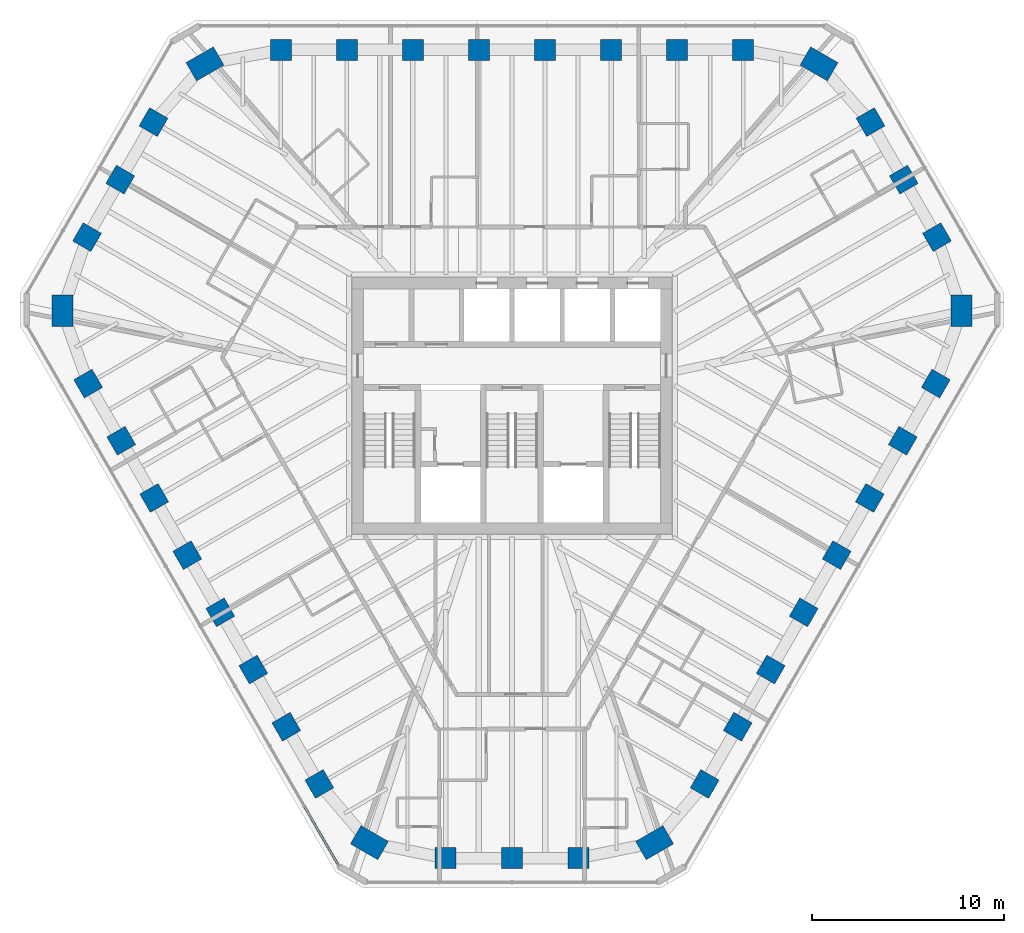
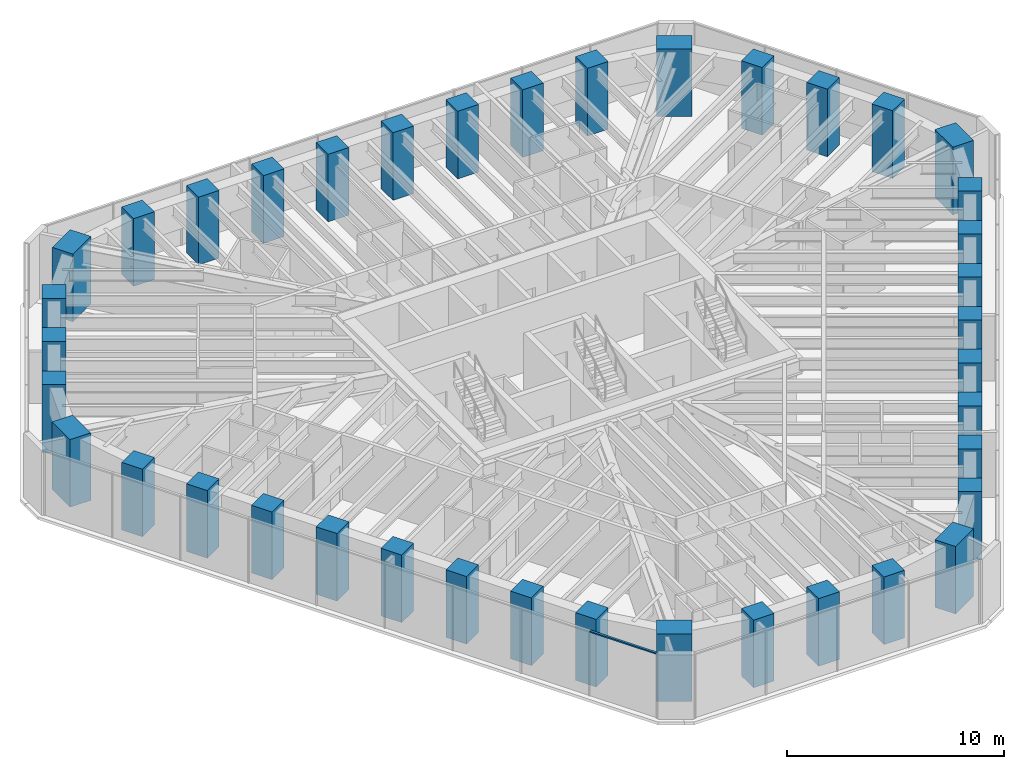
# One storey, part 1 of 14: 39 columns, 1 member, 1 element without a shape of its own.
"""IFC4 building model written with IfcOpenShell, lengths in metres."""

import ifcopenshell
import ifcopenshell.guid

model = None  # the IFC model being written
_history = None  # IfcOwnerHistory: only IFC2X3 demands one
_inside = {}  # id of a spatial element -> (the spatial element, [elements in it])
_under = {}  # id of a project, library or spatial element -> (it, [spatial elements below it])
_declared = {}  # id of a project -> (the project, [libraries it declares])
_typed = {}  # id of a type object -> (the type object, [elements of that type])
_made_of = {}  # id of a material, layer set ... -> (it, [elements and type objects made of it])


def new_model(schema):
    """Start an empty IFC model of exactly this schema.

    Asked for "IFC4X3", IfcOpenShell would pick the latest addendum, in which some entities
    have other attributes; the version numbers below select the first issue.
    IFC2X3 requires an IfcOwnerHistory on every rooted entity: one is made here for all.
    """
    global model, _history
    if schema == "IFC4X3":
        model = ifcopenshell.file(schema_version=(4, 3, 0, 0))
    else:
        model = ifcopenshell.file(schema=schema)
    _inside.clear()
    _under.clear()
    _declared.clear()
    _typed.clear()
    _made_of.clear()
    _history = None
    if model.schema == "IFC2X3":
        org = make("IfcOrganization", Name="unknown")
        user = make(
            "IfcPersonAndOrganization",
            ThePerson=make("IfcPerson", FamilyName="unknown"),
            TheOrganization=org,
        )
        app = make(
            "IfcApplication",
            ApplicationDeveloper=org,
            Version="unknown",
            ApplicationFullName="unknown",
            ApplicationIdentifier="unknown",
        )
        _history = make(
            "IfcOwnerHistory",
            OwningUser=user,
            OwningApplication=app,
            ChangeAction="ADDED",
            CreationDate=0,
        )
    return model


def make(cls, **values):
    """One entity of the class cls with the attributes given. An attribute that is None is left unset."""
    return model.create_entity(
        cls, **{name: value for name, value in values.items() if value is not None}
    )


def rooted(cls, **values):
    """An entity with a GlobalId (a new one), such as an element, a storey or a relation."""
    return make(cls, GlobalId=ifcopenshell.guid.new(), OwnerHistory=_history, **values)


def si_unit(unit_type, name, prefix=None):
    """IfcSIUnit, for example si_unit("LENGTHUNIT", "METRE", prefix="MILLI")."""
    return make("IfcSIUnit", UnitType=unit_type, Prefix=prefix, Name=name)


def assignment(units):
    """IfcUnitAssignment: the units of a project."""
    return None if units is None else make("IfcUnitAssignment", Units=units)


def point(xyz):
    """IfcCartesianPoint."""
    return None if xyz is None else make("IfcCartesianPoint", Coordinates=xyz)


def direction(xyz):
    """IfcDirection."""
    return None if xyz is None else make("IfcDirection", DirectionRatios=xyz)


def frame(location, z_axis=None, x_axis=None):
    """IfcAxis2Placement3D, a coordinate frame: its origin and axes. An axis left out is left unset."""
    return make(
        "IfcAxis2Placement3D",
        Location=point(location),
        Axis=direction(z_axis),
        RefDirection=direction(x_axis),
    )


def frame_2d(location, x_axis=None):
    """IfcAxis2Placement2D, a coordinate frame in the plane: its origin and x axis."""
    return make(
        "IfcAxis2Placement2D", Location=point(location), RefDirection=direction(x_axis)
    )


def origin():
    """The frame at (0, 0, 0) with its axes left unset."""
    return frame((0.0, 0.0, 0.0))


def origin_2d():
    """The frame at (0, 0) in the plane with its x axis left unset."""
    return frame_2d((0.0, 0.0))


def place(relative_to, where):
    """IfcLocalPlacement: puts the frame where relative to a parent placement (None: the world)."""
    return make(
        "IfcLocalPlacement", PlacementRelTo=relative_to, RelativePlacement=where
    )


def context(
    kind, dimensions, precision=None, world=None, true_north=None, identifier=None
):
    """IfcGeometricRepresentationContext, for example the 3D "Model" context."""
    return make(
        "IfcGeometricRepresentationContext",
        ContextIdentifier=identifier,
        ContextType=kind,
        CoordinateSpaceDimension=dimensions,
        Precision=precision,
        WorldCoordinateSystem=world,
        TrueNorth=true_north,
    )


def subcontext(parent, identifier, kind, view, scale=None):
    """IfcGeometricRepresentationSubContext, for example "Body" below "Model"."""
    return make(
        "IfcGeometricRepresentationSubContext",
        ContextIdentifier=identifier,
        ContextType=kind,
        ParentContext=parent,
        TargetScale=scale,
        TargetView=view,
    )


def project(units=None, contexts=None):
    """IfcProject with its units and contexts."""
    return rooted(
        "IfcProject",
        Name="project",
        RepresentationContexts=contexts,
        UnitsInContext=assignment(units),
    )


def spatial(cls, under=None, at=None, **own):
    """A site, building, storey or space (cls), placed at a placement, below another one or the project."""
    s = rooted(cls, ObjectPlacement=at, **own)
    if under is not None:
        _under.setdefault(under.id(), (under, []))[1].append(s)
    return s


def profile(cls, at=None, kind="AREA", **sizes):
    """A parametric profile (cls). Its sizes go by their IFC names, for example OverallWidth=200.0."""
    return make(cls, ProfileType=kind, Position=at, **sizes)


def rectangle(**sizes):
    """IfcRectangleProfileDef."""
    return profile("IfcRectangleProfileDef", **sizes)


def extrude(swept, where, along, depth):
    """IfcExtrudedAreaSolid: the profile swept, set in the frame where, extruded along a direction by depth."""
    return make(
        "IfcExtrudedAreaSolid",
        SweptArea=swept,
        Position=where,
        ExtrudedDirection=direction(along),
        Depth=depth,
    )


def shape(context_of_items, identifier, shape_type, items):
    """IfcShapeRepresentation: the items that make up one representation, for example the "Body"."""
    return make(
        "IfcShapeRepresentation",
        ContextOfItems=context_of_items,
        RepresentationIdentifier=identifier,
        RepresentationType=shape_type,
        Items=items,
    )


def material(Name=None, Category=None):
    """IfcMaterial."""
    return make("IfcMaterial", Name=Name, Category=Category)


def material_profile(
    of_material, cross_section, Name=None, Category=None, Priority=None
):
    """IfcMaterialProfile: a cross section and its material."""
    return make(
        "IfcMaterialProfile",
        Name=Name,
        Material=of_material,
        Profile=cross_section,
        Priority=Priority,
        Category=Category,
    )


def profile_set(profiles, Name=None, composite=None):
    """IfcMaterialProfileSet."""
    return make(
        "IfcMaterialProfileSet",
        Name=Name,
        MaterialProfiles=profiles,
        CompositeProfile=composite,
    )


def made_of(thing, what):
    """Note that an element or type object is made of a material, layer set ...; save() writes the relation."""
    if what is not None:
        _made_of.setdefault(what.id(), (what, []))[1].append(thing)
    return thing


def type_object(cls, material=None, **own):
    """A type object (cls), such as IfcWallType, which elements share."""
    return made_of(rooted(cls, **own), material)


def element(
    cls,
    number,
    at=None,
    inside=None,
    cuts=None,
    type_object=None,
    material=None,
    context=None,
    identifier="Body",
    shape_type=None,
    held_by="IfcProductDefinitionShape",
    body=None,
    shapes=None,
    **own,
):
    """One element of the class cls, such as IfcWall. Its Tag is "e" and its number.

    at: its placement. inside: the storey or other place that contains it. cuts: it is an
    opening in that element (IfcRelVoidsElement). A single representation is given by context,
    identifier, shape_type and body (its items); several are given by shapes. held_by: the class
    of the entity that holds the representations. save() writes the other relations.
    """
    e = rooted(cls, Tag="e%d" % number, ObjectPlacement=at, **own)
    if body is not None:
        shapes = [shape(context, identifier, shape_type, body)]
    if shapes is not None:
        e.Representation = make(held_by, Representations=shapes)
    if inside is not None:
        _inside.setdefault(inside.id(), (inside, []))[1].append(e)
    if cuts is not None:
        rooted(
            "IfcRelVoidsElement", RelatingBuildingElement=cuts, RelatedOpeningElement=e
        )
    if type_object is not None:
        _typed.setdefault(type_object.id(), (type_object, []))[1].append(e)
    return made_of(e, material)


def aggregate(whole, parts):
    """IfcRelAggregates: a whole, such as a stair, and the parts it consists of."""
    return rooted("IfcRelAggregates", RelatingObject=whole, RelatedObjects=parts)


def save(model, path):
    """Write the relations noted so far, then the file.

    IfcRelAggregates (storeys below a building ...), IfcRelContainedInSpatialStructure (elements
    in a storey), IfcRelDefinesByType, IfcRelAssociatesMaterial and IfcRelDeclares: one each for
    every whole, place, type object, material and project.
    """
    for whole, parts in _under.values():
        aggregate(whole, parts)
    for where, things in _inside.values():
        rooted(
            "IfcRelContainedInSpatialStructure",
            RelatedElements=things,
            RelatingStructure=where,
        )
    for kind, things in _typed.values():
        rooted("IfcRelDefinesByType", RelatedObjects=things, RelatingType=kind)
    for what, things in _made_of.values():
        rooted("IfcRelAssociatesMaterial", RelatedObjects=things, RelatingMaterial=what)
    for by, libraries in _declared.values():
        rooted("IfcRelDeclares", RelatingContext=by, RelatedDefinitions=libraries)
    model.write(path)


model = new_model("IFC4")

# Units and contexts
model_context = context("Model", 3, precision=1e-05, world=origin(), true_north=direction((0.0, 1.0)))
body_context = subcontext(model_context, "Body", "Model", "MODEL_VIEW")
ifc_project = project(units=[si_unit("LENGTHUNIT", "METRE"), si_unit("AREAUNIT", "SQUARE_METRE"), si_unit("VOLUMEUNIT", "CUBIC_METRE"), si_unit("PLANEANGLEUNIT", "RADIAN"), si_unit("MASSUNIT", "GRAM", prefix="KILO")], contexts=[model_context])

# Site, building, storey
site_placement = place(None, origin())
site = spatial("IfcSite", under=ifc_project, at=site_placement, CompositionType="ELEMENT")
building_placement = place(site_placement, origin())
building = spatial("IfcBuilding", under=site, at=building_placement, Name="Sandreach Pilgrim Tower", CompositionType="ELEMENT")
storey_placement = place(building_placement, frame((0.0, 0.0, 268.39990234375)))
storey = spatial("IfcBuildingStorey", under=building, at=storey_placement, Name="L67", CompositionType="ELEMENT", Elevation=268.39990234375)

# Columns
ifc_material_1 = material(Name="Concrete 10000 psi", Category="concrete")
ifc_material_profile_1 = material_profile(ifc_material_1, rectangle(XDim=1.10009765625, YDim=1.10009765625, at=origin_2d()), Name="RC1100X1100")
ifc_profile_set_1 = profile_set([ifc_material_profile_1], Name="Concrete 10000 psi")
column_type_1 = type_object("IfcColumnType", Name="Tube column RC1100X1100", PredefinedType="COLUMN", material=ifc_profile_set_1)
for number, where, z_axis, x_axis, name in (
    (1, (-12.0576171875, 18.56640625, 0.0), (0.0, 0.0, 1.0), (0.0, 1.0, 0.0), "COL L67 T01"),
    (2, (-8.612548828125, 18.56640625, 0.0), (0.0, 0.0, 1.0), (0.0, 1.0, 0.0), "COL L67 T02"),
    (3, (-5.16748046875, 18.56640625, 0.0), (0.0, 0.0, 1.0), (0.0, 1.0, 0.0), "COL L67 T03"),
    (4, (-1.722412109375, 18.56640625, 0.0), (0.0, 0.0, 1.0), (0.0, 1.0, 0.0), "COL L67 T04"),
    (5, (1.722412109375, 18.56640625, 0.0), (0.0, 0.0, 1.0), (0.0, 1.0, 0.0), "COL L67 T05"),
    (6, (5.16748046875, 18.56640625, 0.0), (0.0, 0.0, 1.0), (0.0, 1.0, 0.0), "COL L67 T06"),
    (7, (8.612548828125, 18.56640625, 0.0), (0.0, 0.0, 1.0), (0.0, 1.0, 0.0), "COL L67 T07"),
    (8, (12.0576171875, 18.56640625, 0.0), (0.0, 0.0, 1.0), (0.0, 1.0, 0.0), "COL L67 T08"),
    (9, (18.70361328125, 14.80029296875, 0.0), (0.0, 0.0, 1.0), (0.866025403784, 0.5, 0.0), "COL L67 T10"),
    (10, (20.4365234375, 11.799072265625, 0.0), (0.0, 0.0, 1.0), (0.866025403784, 0.5, 0.0), "COL L67 T11"),
    (11, (22.169189453125, 8.7978515625, 0.0), (0.0, 0.0, 1.0), (0.866025403784, 0.5, 0.0), "COL L67 T12"),
    (12, (22.10791015625, 1.158935546875, 0.0), (0.0, 0.0, 1.0), (0.866025403784, -0.5, 0.0), "COL L67 T14"),
    (13, (20.38525390625, -1.824462890625, 0.0), (0.0, 0.0, 1.0), (0.866025403784, -0.5, 0.0), "COL L67 T15"),
    (14, (18.662841796875, -4.80810546875, 0.0), (0.0, 0.0, 1.0), (0.866025403784, -0.5, 0.0), "COL L67 T16"),
    (15, (16.940185546875, -7.79150390625, 0.0), (0.0, 0.0, 1.0), (0.866025403784, -0.5, 0.0), "COL L67 T17"),
    (16, (15.2177734375, -10.77490234375, 0.0), (0.0, 0.0, 1.0), (0.866025403784, -0.5, 0.0), "COL L67 T18"),
    (17, (13.4951171875, -13.758544921875, 0.0), (0.0, 0.0, 1.0), (0.866025403784, -0.5, 0.0), "COL L67 T19"),
    (18, (11.772705078125, -16.741943359375, 0.0), (0.0, 0.0, 1.0), (0.866025403784, -0.5, 0.0), "COL L67 T20"),
    (19, (10.05029296875, -19.725341796875, 0.0), (0.0, 0.0, 1.0), (0.866025403784, -0.5, 0.0), "COL L67 T21"),
    (20, (3.465576171875, -23.59814453125, 0.0), (0.0, 0.0, 1.0), (0.0, -1.0, 0.0), "COL L67 T23"),
    (21, (0.0, -23.59814453125, 0.0), (0.0, 0.0, 1.0), (0.0, -1.0, 0.0), "COL L67 T24"),
    (22, (-3.465576171875, -23.59814453125, 0.0), (0.0, 0.0, 1.0), (0.0, -1.0, 0.0), "COL L67 T25"),
    (23, (-10.05029296875, -19.725341796875, 0.0), (0.0, 0.0, 1.0), (-0.866025403784, -0.5, 0.0), "COL L67 T27"),
    (24, (-11.772705078125, -16.741943359375, 0.0), (0.0, 0.0, 1.0), (-0.866025403784, -0.5, 0.0), "COL L67 T28"),
    (25, (-13.4951171875, -13.758544921875, 0.0), (0.0, 0.0, 1.0), (-0.866025403784, -0.5, 0.0), "COL L67 T29"),
    (26, (-15.2177734375, -10.77490234375, 0.0), (0.0, 0.0, 1.0), (-0.866025403784, -0.5, 0.0), "COL L67 T30"),
    (27, (-16.940185546875, -7.79150390625, 0.0), (0.0, 0.0, 1.0), (-0.866025403784, -0.5, 0.0), "COL L67 T31"),
    (28, (-18.662841796875, -4.80810546875, 0.0), (0.0, 0.0, 1.0), (-0.866025403784, -0.5, 0.0), "COL L67 T32"),
    (29, (-20.38525390625, -1.824462890625, 0.0), (0.0, 0.0, 1.0), (-0.866025403784, -0.5, 0.0), "COL L67 T33"),
    (30, (-22.10791015625, 1.158935546875, 0.0), (0.0, 0.0, 1.0), (-0.866025403784, -0.5, 0.0), "COL L67 T34"),
    (31, (-22.169189453125, 8.7978515625, 0.0), (0.0, 0.0, 1.0), (-0.866025403784, 0.5, 0.0), "COL L67 T36"),
    (32, (-20.4365234375, 11.799072265625, 0.0), (0.0, 0.0, 1.0), (-0.866025403784, 0.5, 0.0), "COL L67 T37"),
    (33, (-18.70361328125, 14.80029296875, 0.0), (0.0, 0.0, 1.0), (-0.866025403784, 0.5, 0.0), "COL L67 T38"),
):
    element("IfcColumn", number, at=place(storey_placement, frame(where, z_axis=z_axis, x_axis=x_axis)), inside=storey, type_object=column_type_1, Name=name, PredefinedType="COLUMN", context=body_context, shape_type="SweptSolid", body=[
        extrude(rectangle(XDim=1.10009765625, YDim=1.10009765625, at=origin_2d()), origin(), (0.0, 0.0, 1.0), 3.800048828125),
    ])
ifc_material_2 = material(Name="Concrete 10000 psi", Category="concrete")
ifc_material_profile_2 = material_profile(ifc_material_2, rectangle(XDim=1.10009765625, YDim=1.64990234375, at=origin_2d()), Name="RC1100X1650")
ifc_profile_set_2 = profile_set([ifc_material_profile_2], Name="Concrete 10000 psi")
column_type_2 = type_object("IfcColumnType", Name="Tube corner pier RC1100X1650", PredefinedType="COLUMN", material=ifc_profile_set_2)
for number, where, z_axis, x_axis, name in (
    (34, (16.0166015625, 17.837158203125, 0.0), (0.0, 0.0, 1.0), (0.5, 0.866025403784, 0.0), "COL L67 T09"),
    (35, (23.455810546875, 4.952392578125, 0.0), (0.0, 0.0, 1.0), (1.0, 0.0, 0.0), "COL L67 T13"),
    (36, (7.439208984375, -22.78955078125, 0.0), (0.0, 0.0, 1.0), (0.5, -0.866025403784, 0.0), "COL L67 T22"),
    (37, (-7.439208984375, -22.78955078125, 0.0), (0.0, 0.0, 1.0), (-0.5, -0.866025403784, 0.0), "COL L67 T26"),
    (38, (-23.455810546875, 4.952392578125, 0.0), (0.0, 0.0, 1.0), (-1.0, 0.0, 0.0), "COL L67 T35"),
    (39, (-16.0166015625, 17.837158203125, 0.0), (0.0, 0.0, 1.0), (-0.5, 0.866025403784, 0.0), "COL L67 T39"),
):
    element("IfcColumn", number, at=place(storey_placement, frame(where, z_axis=z_axis, x_axis=x_axis)), inside=storey, type_object=column_type_2, Name=name, PredefinedType="COLUMN", context=body_context, shape_type="SweptSolid", body=[
        extrude(rectangle(XDim=1.10009765625, YDim=1.64990234375, at=origin_2d()), origin(), (0.0, 0.0, 1.0), 3.800048828125),
    ])

# Curtain wall, member
ifc_material_3 = material(Name="Aluminium framed curtain wall", Category="aluminium")
curtain_wall_type = type_object("IfcCurtainWallType", Name="Suite tower curtain wall", PredefinedType="NOTDEFINED", material=ifc_material_3)
curtain_wall_placement = place(storey_placement, origin())
curtain_wall = element("IfcCurtainWall", 40, at=curtain_wall_placement, inside=storey, type_object=curtain_wall_type, Name="CW-4 L67 SW", PredefinedType="NOTDEFINED")
ifc_material_4 = material(Name="Aluminium extrusion", Category="aluminium")
ifc_material_profile_3 = material_profile(ifc_material_4, rectangle(XDim=0.1201171875, YDim=0.070068359375, at=origin_2d()), Name="CW-4T 120X70")
ifc_profile_set_3 = profile_set([ifc_material_profile_3], Name="Aluminium extrusion")
member_type = type_object("IfcMemberType", Name="CW-4 transom", PredefinedType="USERDEFINED", material=ifc_profile_set_3)
member_placement = place(storey_placement, frame((-9.051025390625, -23.97607421875, 3.60498046875), z_axis=(-0.499997709859, 0.866026725994, 0.0), x_axis=(-0.866026725994, -0.499997709859, 0.0)))
member = element("IfcMember", 41, at=member_placement, type_object=member_type, Name="CW-4 head transom 1", ObjectType="TRANSOM", PredefinedType="USERDEFINED", context=body_context, shape_type="SweptSolid", body=[
    extrude(rectangle(XDim=0.1201171875, YDim=0.070068359375, at=origin_2d()), origin(), (0.0, 0.0, 1.0), 3.53173828125),
])
aggregate(curtain_wall, [member])

save(model, "model.ifc")
